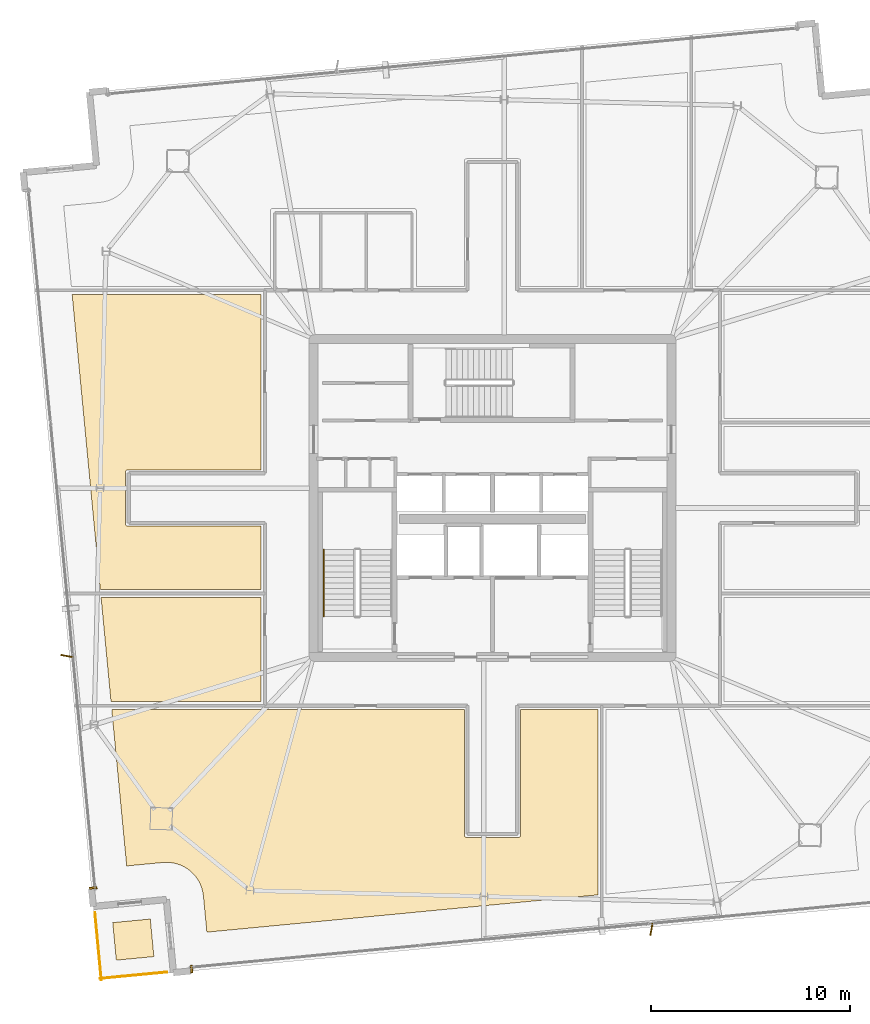
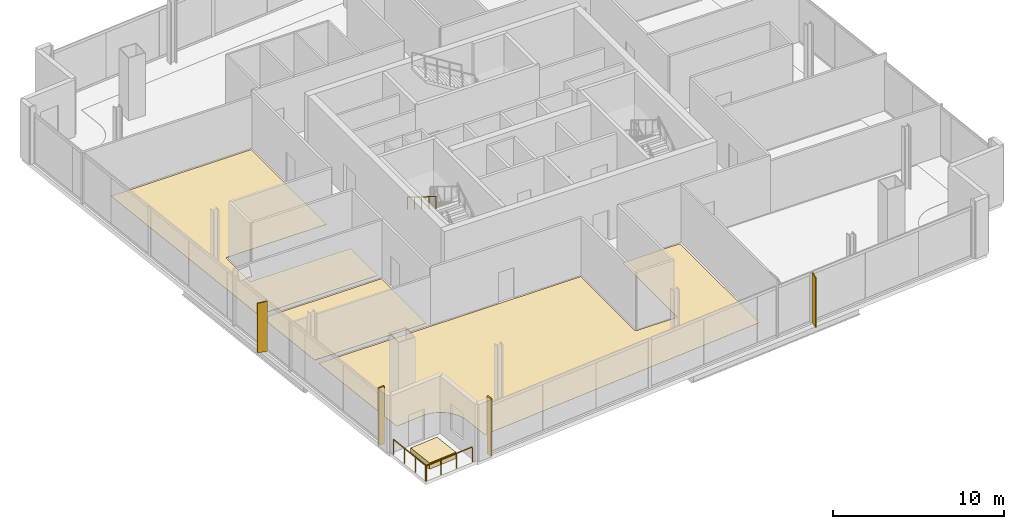
# One storey, part 22 of 24: 6 coverings, 3 railings, 2 shading devices.
"""IFC4 building model written with IfcOpenShell, lengths in metres."""

from ifc_helpers import new_model, si_unit, direction, frame, origin, origin_2d, place, context, subcontext, project, spatial, polyline, rectangle, outline, extrude, source, transform, mapped, material, layer, layer_set, type_object, element, save


model = new_model("IFC4")

# Units and contexts
model_context = context("Model", 3, precision=1e-05, world=origin(), true_north=direction((0.0, 1.0)))
body_context = subcontext(model_context, "Body", "Model", "MODEL_VIEW")
ifc_project = project(units=[si_unit("LENGTHUNIT", "METRE"), si_unit("AREAUNIT", "SQUARE_METRE"), si_unit("VOLUMEUNIT", "CUBIC_METRE"), si_unit("PLANEANGLEUNIT", "RADIAN"), si_unit("MASSUNIT", "GRAM", prefix="KILO")], contexts=[model_context])

# Site, building, storey
site_placement = place(None, origin())
site = spatial("IfcSite", under=ifc_project, at=site_placement, CompositionType="ELEMENT")
building_placement = place(site_placement, origin())
building = spatial("IfcBuilding", under=site, at=building_placement, Name="Haldenkirk Collegiate Tower", CompositionType="ELEMENT")
storey_placement = place(building_placement, frame((0.0, 0.0, 347.699951171875)))
storey = spatial("IfcBuildingStorey", under=building, at=storey_placement, Name="L88", CompositionType="ELEMENT", Elevation=347.699951171875)

# Coverings
ifc_material_1 = material(Name="Polished collegiate terrazzo", Category="concrete")
ifc_layer_1 = layer(ifc_material_1, 0.02490234375)
ifc_layer_set_1 = layer_set([ifc_layer_1], Name="Polished collegiate terrazzo")
covering_type_1 = type_object("IfcCoveringType", Name="COV-FLOOR-TERRAZZO", PredefinedType="FLOORING", material=ifc_layer_set_1)
covering_1_placement = place(storey_placement, origin())
element("IfcCovering", 1, at=covering_1_placement, inside=storey, type_object=covering_type_1, Name="L88 academic room finish 06", PredefinedType="FLOORING", context=body_context, shape_type="SweptSolid", body=[
    extrude(outline(polyline([(16.305908203125, 21.0), (24.35009765625, 21.0), (24.35009765625, 15.75), (16.806884765625, 15.75), (16.305908203125, 21.0)])), origin(), (0.0, 0.0, 1.0), 0.025146484375),
])
ifc_material_2 = material(Name="Engineered collegiate oak acoustic flooring", Category="wood")
ifc_layer_2 = layer(ifc_material_2, 0.02197265625)
ifc_layer_set_2 = layer_set([ifc_layer_2], Name="Engineered collegiate oak acoustic flooring")
covering_type_2 = type_object("IfcCoveringType", Name="COV-FLOOR-TIMBER", PredefinedType="FLOORING", material=ifc_layer_set_2)
covering_2_placement = place(storey_placement, origin())
element("IfcCovering", 2, at=covering_2_placement, inside=storey, type_object=covering_type_2, Name="L88 academic room finish 01", PredefinedType="FLOORING", context=body_context, shape_type="SweptSolid", body=[
    extrude(outline(polyline([(21.629638671875, 4.156494140625), (21.455810546875, 5.97802734375), (21.455078125, 5.98388671875), (21.430419921875, 6.154052734375), (21.42822265625, 6.16552734375), (21.386962890625, 6.332275390625), (21.383544921875, 6.343505859375), (21.326171875, 6.50537109375), (21.32177734375, 6.516357421875), (21.248779296875, 6.671630859375), (21.243408203125, 6.68212890625), (21.155517578125, 6.82958984375), (21.14892578125, 6.839599609375), (21.047119140625, 6.977783203125), (21.03955078125, 6.98681640625), (20.924560546875, 7.114501953125), (20.91650390625, 7.122802734375), (20.78955078125, 7.238525390625), (20.780517578125, 7.24609375), (20.642822265625, 7.348876953125), (20.633056640625, 7.355224609375), (20.486083984375, 7.444091796875), (20.4755859375, 7.44970703125), (20.320556640625, 7.5234375), (20.309814453125, 7.528076171875), (20.148193359375, 7.58642578125), (20.136962890625, 7.58984375), (19.970458984375, 7.632080078125), (19.958984375, 7.634521484375), (19.789306640625, 7.66015625), (19.777587890625, 7.661376953125), (19.60595703125, 7.67041015625), (19.593994140625, 7.67041015625), (19.422607421875, 7.66259765625), (19.416748046875, 7.662109375), (17.59521484375, 7.48828125), (16.844970703125, 15.35009765625), (34.580078125, 15.35009765625), (34.580078125, 9.050048828125), (34.58056640625, 9.0380859375), (34.582275390625, 9.026611328125), (34.585205078125, 9.01513671875), (34.589111328125, 9.004150390625), (34.59423828125, 8.993408203125), (34.60009765625, 8.9833984375), (34.607177734375, 8.973876953125), (34.614990234375, 8.965087890625), (34.623779296875, 8.957275390625), (34.63330078125, 8.9501953125), (34.643310546875, 8.944091796875), (34.654052734375, 8.939208984375), (34.665283203125, 8.935302734375), (34.676513671875, 8.932373046875), (34.688232421875, 8.9306640625), (34.699951171875, 8.929931640625), (37.300048828125, 8.929931640625), (37.311767578125, 8.9306640625), (37.323486328125, 8.932373046875), (37.334716796875, 8.935302734375), (37.345947265625, 8.939208984375), (37.356689453125, 8.944091796875), (37.36669921875, 8.9501953125), (37.376220703125, 8.957275390625), (37.385009765625, 8.965087890625), (37.392822265625, 8.973876953125), (37.39990234375, 8.9833984375), (37.40576171875, 8.993408203125), (37.410888671875, 9.004150390625), (37.414794921875, 9.01513671875), (37.417724609375, 9.026611328125), (37.41943359375, 9.0380859375), (37.419921875, 9.050048828125), (37.419921875, 15.35009765625), (41.300048828125, 15.35009765625), (41.300048828125, 6.033203125), (21.629638671875, 4.156494140625)])), origin(), (0.0, 0.0, 1.0), 0.02197265625),
])
covering_3_placement = place(storey_placement, origin())
element("IfcCovering", 3, at=covering_3_placement, inside=storey, type_object=covering_type_2, Name="L88 academic room finish 07", PredefinedType="FLOORING", context=body_context, shape_type="SweptSolid", body=[
    extrude(outline(polyline([(17.64990234375, 27.419921875), (17.63818359375, 27.41943359375), (17.626708984375, 27.417724609375), (17.615234375, 27.414794921875), (17.60400390625, 27.410888671875), (17.593505859375, 27.40576171875), (17.583251953125, 27.39990234375), (17.573974609375, 27.392822265625), (17.565185546875, 27.385009765625), (17.55712890625, 27.376220703125), (17.55029296875, 27.36669921875), (17.544189453125, 27.356689453125), (17.5390625, 27.345947265625), (17.53515625, 27.334716796875), (17.5322265625, 27.323486328125), (17.530517578125, 27.311767578125), (17.530029296875, 27.300048828125), (17.530029296875, 24.699951171875), (17.530517578125, 24.688232421875), (17.5322265625, 24.676513671875), (17.53515625, 24.665283203125), (17.5390625, 24.654052734375), (17.544189453125, 24.643310546875), (17.55029296875, 24.63330078125), (17.55712890625, 24.623779296875), (17.565185546875, 24.614990234375), (17.573974609375, 24.607177734375), (17.583251953125, 24.60009765625), (17.593505859375, 24.59423828125), (17.60400390625, 24.589111328125), (17.615234375, 24.585205078125), (17.626708984375, 24.582275390625), (17.63818359375, 24.58056640625), (17.64990234375, 24.580078125), (24.35009765625, 24.580078125), (24.35009765625, 21.39990234375), (16.267578125, 21.39990234375), (14.850830078125, 36.25), (24.35009765625, 36.25), (24.35009765625, 27.419921875), (17.64990234375, 27.419921875)])), origin(), (0.0, 0.0, 1.0), 0.02197265625),
])
ifc_material_3 = material(Name="Precast concrete f'c 40 MPa", Category="concrete")
ifc_layer_3 = layer(ifc_material_3, 0.449951171875)
ifc_layer_set_3 = layer_set([ifc_layer_3], Name="Precast concrete f'c 40 MPa")
covering_type_3 = type_object("IfcCoveringType", Name="COV-PLANTER-450", PredefinedType="USERDEFINED", material=ifc_layer_set_3)
covering_4_placement = place(storey_placement, origin())
element("IfcCovering", 4, at=covering_4_placement, inside=storey, type_object=covering_type_3, Name="L88 planted garden planter bed", ObjectType="PLANTER", PredefinedType="USERDEFINED", context=body_context, shape_type="SweptSolid", body=[
    extrude(outline(polyline([(18.96435546875, 2.927734375), (17.072998046875, 2.747314453125), (16.892578125, 4.638671875), (18.78369140625, 4.819091796875), (18.96435546875, 2.927734375)])), origin(), (0.0, 0.0, 1.0), 0.449951171875),
])

# Railings
ifc_material_4 = material(Name="Painted architectural tubular steel", Category="steel")
railing_type_1 = type_object("IfcRailingType", Name="RLG-STAIR-HANDRAIL-900", PredefinedType="HANDRAIL", material=ifc_material_4)
railing_1_placement = place(storey_placement, frame((27.5, 23.409912109375, 2.423095703125)))
element("IfcRailing", 5, at=railing_1_placement, inside=storey, type_object=railing_type_1, Name="L88 ST-1 stair handrail 2", PredefinedType="HANDRAIL", context=body_context, shape_type="SweptSolid", body=[
    extrude(rectangle(XDim=0.048095703125, YDim=0.048095703125, at=origin_2d()), frame((0.0, 0.0, 0.8759765625), z_axis=(0.0, -0.850606129759, 0.525803396734), x_axis=(1.0, 0.0, 0.0)), (0.0, 0.0, 1.0), 3.949951171875),
    extrude(rectangle(XDim=0.0419921875, YDim=0.0419921875, at=origin_2d()), origin(), (0.0, 0.0, 1.0), 0.851806640625),
    extrude(rectangle(XDim=0.0419921875, YDim=0.0419921875, at=origin_2d()), frame((0.0, -0.83984375, 0.519287109375)), (0.0, 0.0, 1.0), 0.851806640625),
    extrude(rectangle(XDim=0.0419921875, YDim=0.0419921875, at=origin_2d()), frame((0.0, -1.679931640625, 1.03857421875)), (0.0, 0.0, 1.0), 0.851806640625),
    extrude(rectangle(XDim=0.0419921875, YDim=0.0419921875, at=origin_2d()), frame((0.0, -2.52001953125, 1.5576171875)), (0.0, 0.0, 1.0), 0.851806640625),
    extrude(rectangle(XDim=0.0419921875, YDim=0.0419921875, at=origin_2d()), frame((0.0, -3.35986328125, 2.076904296875)), (0.0, 0.0, 1.0), 0.851806640625),
])
ifc_material_5 = material(Name="Anodised architectural bronze aluminium", Category="aluminium")
railing_type_2 = type_object("IfcRailingType", Name="RLG-TERR-BALUSTRADE-1100", PredefinedType="BALUSTRADE", material=ifc_material_5)
railing_2_placement = place(storey_placement, frame((16.001220703125, 5.13623046875, 0.0)))
element("IfcRailing", 6, at=railing_2_placement, inside=storey, type_object=railing_type_2, Name="L88 terrace guard balustrade 3-1", PredefinedType="BALUSTRADE", context=body_context, shape_type="SweptSolid", body=[
    extrude(rectangle(XDim=0.048095703125, YDim=0.048095703125, at=origin_2d()), frame((0.0, 0.0, 1.076171875), z_axis=(0.094982931007, -0.995478901242, 0.0), x_axis=(0.995478901242, 0.094982931007, 0.0)), (0.0, 0.0, 1.0), 3.380126953125),
    extrude(rectangle(XDim=0.0419921875, YDim=0.0419921875, at=origin_2d()), origin(), (0.0, 0.0, 1.0), 1.052001953125),
    extrude(rectangle(XDim=0.0419921875, YDim=0.0419921875, at=origin_2d()), frame((0.10693359375, -1.12158203125, 0.0)), (0.0, 0.0, 1.0), 1.052001953125),
    extrude(rectangle(XDim=0.0419921875, YDim=0.0419921875, at=origin_2d()), frame((0.214111328125, -2.2431640625, 0.0)), (0.0, 0.0, 1.0), 1.052001953125),
    extrude(rectangle(XDim=0.0419921875, YDim=0.0419921875, at=origin_2d()), frame((0.321044921875, -3.36474609375, 0.0)), (0.0, 0.0, 1.0), 1.052001953125),
])
railing_3_placement = place(storey_placement, frame((16.2568359375, 1.825439453125, 0.0)))
element("IfcRailing", 7, at=railing_3_placement, inside=storey, type_object=railing_type_2, Name="L88 terrace guard balustrade 4-1", PredefinedType="BALUSTRADE", context=body_context, shape_type="SweptSolid", body=[
    extrude(rectangle(XDim=0.048095703125, YDim=0.048095703125, at=origin_2d()), frame((0.0, 0.0, 1.076171875), z_axis=(0.995478249527, 0.09498976113, 0.0), x_axis=(-0.09498976113, 0.995478249527, 0.0)), (0.0, 0.0, 1.0), 3.3798828125),
    extrude(rectangle(XDim=0.0419921875, YDim=0.0419921875, at=origin_2d()), origin(), (0.0, 0.0, 1.0), 1.052001953125),
    extrude(rectangle(XDim=0.0419921875, YDim=0.0419921875, at=origin_2d()), frame((1.12158203125, 0.10693359375, 0.0)), (0.0, 0.0, 1.0), 1.052001953125),
    extrude(rectangle(XDim=0.0419921875, YDim=0.0419921875, at=origin_2d()), frame((2.242919921875, 0.214111328125, 0.0)), (0.0, 0.0, 1.0), 1.052001953125),
    extrude(rectangle(XDim=0.0419921875, YDim=0.0419921875, at=origin_2d()), frame((3.364501953125, 0.321044921875, 0.0)), (0.0, 0.0, 1.0), 1.052001953125),
])

# Coverings
ifc_layer_4 = layer(ifc_material_5, 0.06005859375)
ifc_layer_set_4 = layer_set([ifc_layer_4], Name="Anodised architectural bronze aluminium")
covering_type_4 = type_object("IfcCoveringType", Name="COV-CLAD-BRONZE-60", PredefinedType="CLADDING", material=ifc_layer_set_4)
shared_shape_1 = source(origin(), body_context, "Body", "SweptSolid", [
    extrude(rectangle(XDim=0.10009765625, YDim=0.3798828125, at=origin_2d()), origin(), (0.0, 0.0, 1.0), 4.10009765625),
])
for number, where, z_axis, x_axis, name in (
    (8, (15.912353515625, 6.38330078125, 0.0), (0.0, 0.0, 1.0), (-0.094977069084, 0.995479460536, 0.0), "L88 recessed curtain-wall bronze jamb closure NJL"),
    (9, (20.86279296875, 2.295166015625, 0.0), (0.0, 0.0, 1.0), (-0.995479460536, -0.094977069084, 0.0), "L88 recessed curtain-wall bronze jamb closure WJR"),
):
    element("IfcCovering", number, at=place(storey_placement, frame(where, z_axis=z_axis, x_axis=x_axis)), inside=storey, type_object=covering_type_4, Name=name, PredefinedType="CLADDING", context=body_context, shape_type="MappedRepresentation", body=[
        mapped(shared_shape_1, transform((0.0, 0.0, 0.0), x_axis=(1.0, 0.0, 0.0), y_axis=(0.0, 1.0, 0.0), z_axis=(0.0, 0.0, 1.0), scale=1.0)),
    ])

# Shading devices
ifc_layer_5 = layer(ifc_material_5, 0.06494140625)
ifc_layer_set_5 = layer_set([ifc_layer_5], Name="Anodised architectural bronze aluminium")
shading_device_type = type_object("IfcShadingDeviceType", Name="SHD-FIN-BRONZE-620", PredefinedType="USERDEFINED", material=ifc_layer_set_5)
shared_shape_2 = source(origin(), body_context, "Body", "SweptSolid", [
    extrude(rectangle(XDim=0.6201171875, YDim=0.06494140625, at=origin_2d()), origin(), (0.0, 0.0, 1.0), 3.55810546875),
])
for number, where, z_axis, x_axis, name in (
    (10, (14.593505859375, 18.047607421875, 0.0), (0.0, 0.0, 1.0), (-0.983095502692, 0.183093507769, 0.0), "L88 folded bronze solar fin 1"),
    (11, (43.99755859375, 4.29638671875, 0.0), (0.0, 0.0, 1.0), (-0.183093507769, -0.983095502692, 0.0), "L88 folded bronze solar fin 1"),
):
    element("IfcShadingDevice", number, at=place(storey_placement, frame(where, z_axis=z_axis, x_axis=x_axis)), inside=storey, type_object=shading_device_type, Name=name, ObjectType="FIN", PredefinedType="USERDEFINED", context=body_context, shape_type="MappedRepresentation", body=[
        mapped(shared_shape_2, transform((0.0, 0.0, 0.0), x_axis=(1.0, 0.0, 0.0), y_axis=(0.0, 1.0, 0.0), z_axis=(0.0, 0.0, 1.0), scale=1.0)),
    ])

save(model, "model.ifc")
